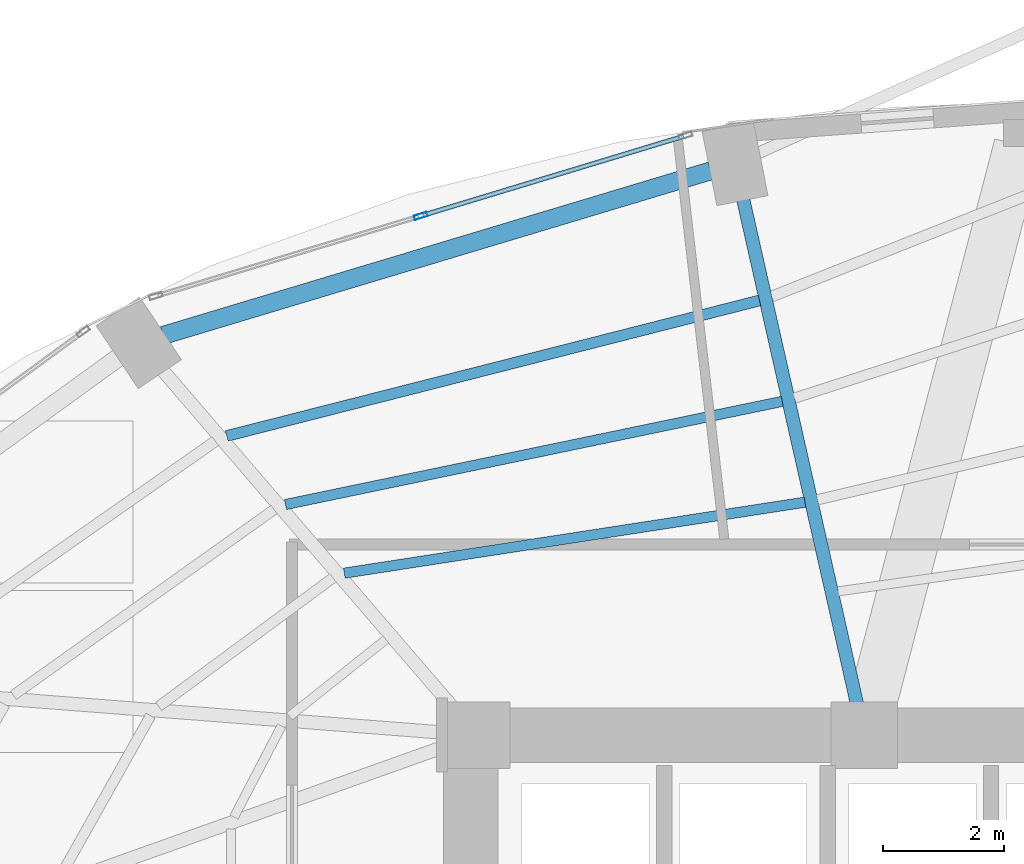
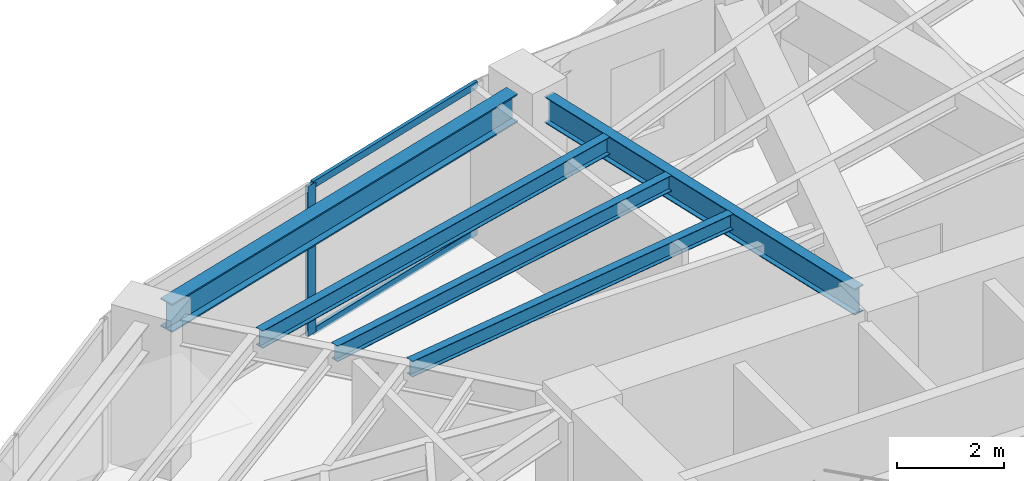
# One storey, part 14 of 24: 5 beams, 3 members, 1 element without a shape of its own.
"""IFC4 building model written with IfcOpenShell, lengths in metres."""

from ifc_helpers import new_model, si_unit, direction, frame, origin, origin_2d, place, context, subcontext, project, spatial, hollow_rectangle, i_section, extrude, material, layer, layer_set, material_profile, profile_set, type_object, element, aggregate, save


model = new_model("IFC4")

# Units and contexts
model_context = context("Model", 3, precision=1e-05, world=origin(), true_north=direction((0.0, 1.0)))
body_context = subcontext(model_context, "Body", "Model", "MODEL_VIEW")
ifc_project = project(units=[si_unit("LENGTHUNIT", "METRE"), si_unit("AREAUNIT", "SQUARE_METRE"), si_unit("VOLUMEUNIT", "CUBIC_METRE"), si_unit("PLANEANGLEUNIT", "RADIAN"), si_unit("MASSUNIT", "GRAM", prefix="KILO")], contexts=[model_context])

# Site, building, storey
site_placement = place(None, origin())
site = spatial("IfcSite", under=ifc_project, at=site_placement, CompositionType="ELEMENT")
building_placement = place(site_placement, origin())
building = spatial("IfcBuilding", under=site, at=building_placement, Name="Lazwardi Medical Tower", CompositionType="ELEMENT")
storey_placement = place(building_placement, frame((0.0, 0.0, 68.97607421875)))
storey = spatial("IfcBuildingStorey", under=building, at=storey_placement, Name="L17", CompositionType="ELEMENT", Elevation=68.97607421875)

# Beams
ifc_material_1 = material(Name="Steel S355", Category="steel")
ifc_material_profile_1 = material_profile(ifc_material_1, i_section(OverallWidth=0.300048828125, OverallDepth=0.64990234375, WebThickness=0.01611328125, FlangeThickness=0.031005859375, at=origin_2d()), Name="HEB 650")
ifc_profile_set_1 = profile_set([ifc_material_profile_1], Name="Steel S355")
beam_type_1 = type_object("IfcBeamType", Name="BM-RB-Z1", PredefinedType="BEAM", material=ifc_profile_set_1)
beam_1_placement = place(storey_placement, frame((30.26708984375, 44.923095703125, 3.10302734375), z_axis=(-0.957695289269, -0.287784177662, 0.0), x_axis=(0.287784177662, -0.957695289269, 0.0)))
element("IfcBeam", 1, at=beam_1_placement, inside=storey, type_object=beam_type_1, Name="Ring beam RB-02 B09 L17", PredefinedType="BEAM", context=body_context, shape_type="SweptSolid", body=[
    extrude(i_section(OverallWidth=0.300048828125, OverallDepth=0.64990234375, WebThickness=0.01611328125, FlangeThickness=0.031005859375, at=origin_2d()), origin(), (0.0, 0.0, 1.0), 9.445556640625),
])
ifc_material_profile_2 = material_profile(ifc_material_1, i_section(OverallWidth=0.219970703125, OverallDepth=0.60009765625, WebThickness=0.011962890625, FlangeThickness=0.01904296875, at=origin_2d()), Name="IPE 600")
ifc_profile_set_2 = profile_set([ifc_material_profile_2], Name="Steel S355")
beam_type_2 = type_object("IfcBeamType", Name="BM-RG-W1", PredefinedType="BEAM", material=ifc_profile_set_2)
beam_2_placement = place(storey_placement, frame((30.796875, 44.478271484375, 3.1279296875), z_axis=(0.22010079219, -0.975477135189, 0.0), x_axis=(0.975477135189, 0.22010079219, 0.0)))
element("IfcBeam", 2, at=beam_2_placement, inside=storey, type_object=beam_type_2, Name="Radial girder RG-02 R09 L17", PredefinedType="BEAM", context=body_context, shape_type="SweptSolid", body=[
    extrude(i_section(OverallWidth=0.219970703125, OverallDepth=0.60009765625, WebThickness=0.011962890625, FlangeThickness=0.01904296875, at=origin_2d()), origin(), (0.0, 0.0, 1.0), 8.56640625),
])
ifc_material_profile_3 = material_profile(ifc_material_1, i_section(OverallWidth=0.179931640625, OverallDepth=0.39990234375, WebThickness=0.008544921875, FlangeThickness=0.013427734375, at=origin_2d()), Name="IPE 400")
ifc_profile_set_3 = profile_set([ifc_material_profile_3], Name="Steel S355")
beam_type_3 = type_object("IfcBeamType", Name="BM-SJ-01", PredefinedType="JOIST", material=ifc_profile_set_3)
beam_3_placement = place(storey_placement, frame((31.072265625, 42.781005859375, 3.22802734375), z_axis=(-0.969151012048, -0.246467677081, 0.0), x_axis=(0.246467677081, -0.969151012048, 0.0)))
element("IfcBeam", 3, at=beam_3_placement, inside=storey, type_object=beam_type_3, Name="Secondary joist SJ-01 R1 B09 L17", PredefinedType="JOIST", context=body_context, shape_type="SweptSolid", body=[
    extrude(i_section(OverallWidth=0.179931640625, OverallDepth=0.39990234375, WebThickness=0.008544921875, FlangeThickness=0.013427734375, at=origin_2d()), origin(), (0.0, 0.0, 1.0), 9.08251953125),
])
ifc_material_profile_4 = material_profile(ifc_material_1, i_section(OverallWidth=0.169921875, OverallDepth=0.360107421875, WebThickness=0.008056640625, FlangeThickness=0.0126953125, at=origin_2d()), Name="IPE 360")
ifc_profile_set_4 = profile_set([ifc_material_profile_4], Name="Steel S355")
beam_type_4 = type_object("IfcBeamType", Name="BM-SJ-02", PredefinedType="JOIST", material=ifc_profile_set_4)
beam_4_placement = place(storey_placement, frame((31.4482421875, 41.114501953125, 3.248046875), z_axis=(-0.979107693723, -0.203342381445, 0.0), x_axis=(0.203342381445, -0.979107693723, 0.0)))
element("IfcBeam", 4, at=beam_4_placement, inside=storey, type_object=beam_type_4, Name="Secondary joist SJ-02 R2 B09 L17", PredefinedType="JOIST", context=body_context, shape_type="SweptSolid", body=[
    extrude(i_section(OverallWidth=0.169921875, OverallDepth=0.360107421875, WebThickness=0.008056640625, FlangeThickness=0.0126953125, at=origin_2d()), origin(), (0.0, 0.0, 1.0), 8.381591796875),
])
beam_5_placement = place(storey_placement, frame((31.824462890625, 39.448486328125, 3.248046875), z_axis=(-0.988362899594, -0.152114360618, 0.0), x_axis=(0.152114360618, -0.988362899594, 0.0)))
element("IfcBeam", 5, at=beam_5_placement, inside=storey, type_object=beam_type_4, Name="Secondary joist SJ-02 R3 B09 L17", PredefinedType="JOIST", context=body_context, shape_type="SweptSolid", body=[
    extrude(i_section(OverallWidth=0.169921875, OverallDepth=0.360107421875, WebThickness=0.008056640625, FlangeThickness=0.0126953125, at=origin_2d()), origin(), (0.0, 0.0, 1.0), 7.70068359375),
])

# Curtain wall, members
ifc_material_2 = material(Name="Anodised bronze aluminium and solar control glazing", Category="aluminium")
ifc_layer = layer(ifc_material_2, 0.199951171875)
ifc_layer_set = layer_set([ifc_layer], Name="Anodised bronze aluminium and solar control glazing")
curtain_wall_type = type_object("IfcCurtainWallType", Name="CW-SYS-02", PredefinedType="NOTDEFINED", material=ifc_layer_set)
curtain_wall_placement = place(storey_placement, origin())
curtain_wall = element("IfcCurtainWall", 6, at=curtain_wall_placement, inside=storey, type_object=curtain_wall_type, Name="L17 Unitised bronze curtain wall CW-02", PredefinedType="NOTDEFINED")
ifc_material_3 = material(Name="Anodised bronze aluminium", Category="aluminium")
ifc_material_profile_5 = material_profile(ifc_material_3, hollow_rectangle(XDim=0.074951171875, YDim=0.219970703125, WallThickness=0.00390625, at=origin_2d()), Name="ALU-MULLION 220x75x4")
ifc_profile_set_5 = profile_set([ifc_material_profile_5], Name="Anodised bronze aluminium")
member_type_1 = type_object("IfcMemberType", Name="CW-MUL-01", PredefinedType="MULLION", material=ifc_profile_set_5)
member_1_placement = place(storey_placement, frame((25.476806640625, 44.178466796875, 0.0), z_axis=(0.0, 0.0, 1.0), x_axis=(0.2898956909, -0.957058247129, 0.0)))
member_1 = element("IfcMember", 7, at=member_1_placement, type_object=member_type_1, Name="CW-02 mullion 2", PredefinedType="MULLION", context=body_context, shape_type="SweptSolid", body=[
    extrude(hollow_rectangle(XDim=0.074951171875, YDim=0.219970703125, WallThickness=0.00390625, at=origin_2d()), origin(), (0.0, 0.0, 1.0), 3.427978515625),
])
ifc_material_profile_6 = material_profile(ifc_material_3, hollow_rectangle(XDim=0.074951171875, YDim=0.159912109375, WallThickness=0.00390625, at=origin_2d()), Name="ALU-TRANSOM 160x75x4")
ifc_profile_set_6 = profile_set([ifc_material_profile_6], Name="Anodised bronze aluminium")
member_type_2 = type_object("IfcMemberType", Name="CW-TRN-01", PredefinedType="USERDEFINED", material=ifc_profile_set_6)
member_2_placement = place(storey_placement, frame((29.816162109375, 45.492919921875, 0.037353515625), z_axis=(-0.957047233423, -0.28993204893, 0.0), x_axis=(0.28993204893, -0.957047233423, 0.0)))
member_2 = element("IfcMember", 8, at=member_2_placement, type_object=member_type_2, Name="CW-02 transom 1.1", ObjectType="TRANSOM", PredefinedType="USERDEFINED", context=body_context, shape_type="SweptSolid", body=[
    extrude(hollow_rectangle(XDim=0.074951171875, YDim=0.159912109375, WallThickness=0.00390625, at=origin_2d()), origin(), (0.0, 0.0, 1.0), 4.49658203125),
])
member_3_placement = place(storey_placement, frame((29.816162109375, 45.492919921875, 3.390380859375), z_axis=(-0.957047233423, -0.28993204893, 0.0), x_axis=(0.28993204893, -0.957047233423, 0.0)))
member_3 = element("IfcMember", 9, at=member_3_placement, type_object=member_type_2, Name="CW-02 transom 1.2", ObjectType="TRANSOM", PredefinedType="USERDEFINED", context=body_context, shape_type="SweptSolid", body=[
    extrude(hollow_rectangle(XDim=0.074951171875, YDim=0.159912109375, WallThickness=0.00390625, at=origin_2d()), origin(), (0.0, 0.0, 1.0), 4.49658203125),
])
aggregate(curtain_wall, [member_1, member_2, member_3])

save(model, "model.ifc")
